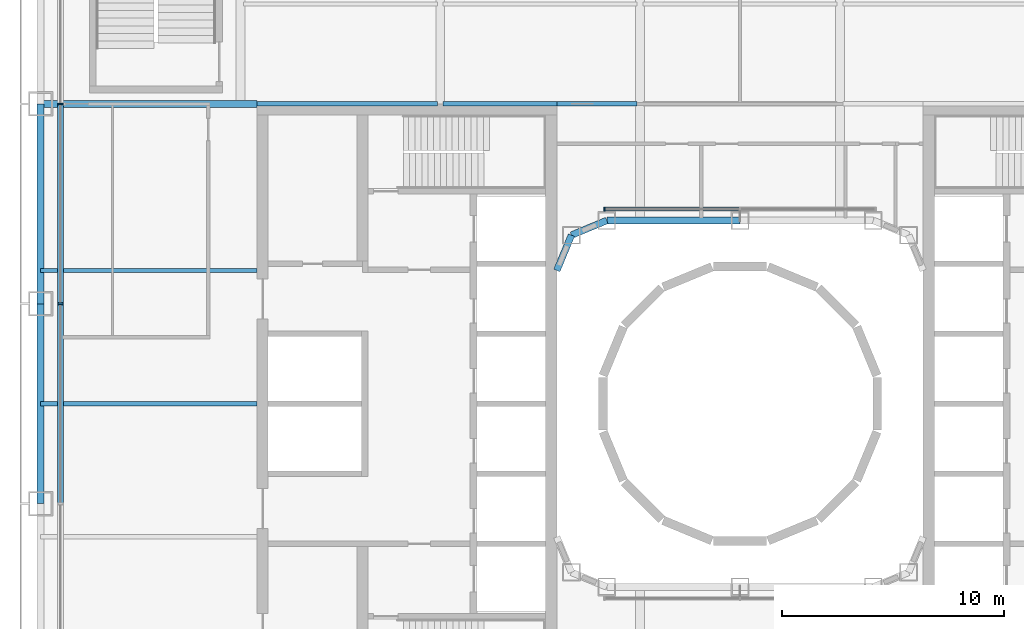
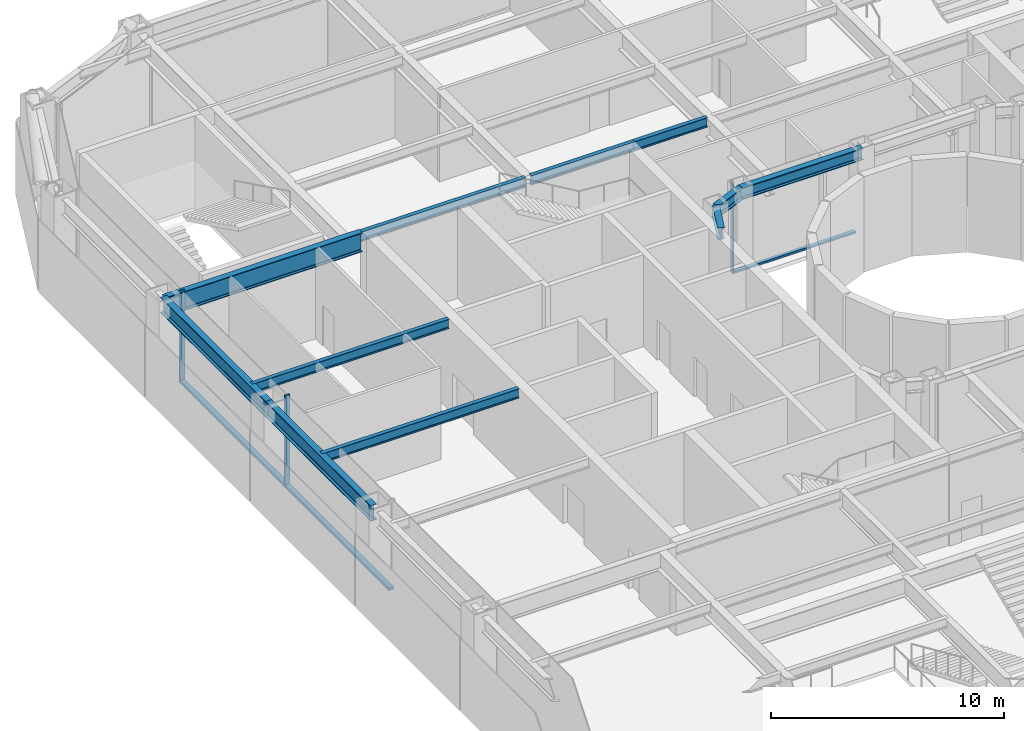
# One storey, part 6 of 25: 11 beams, 6 members, 2 elements without a shape of their own.
"""IFC4 building model written with IfcOpenShell, lengths in metres."""

from ifc_helpers import new_model, si_unit, direction, frame, origin, origin_2d, place, context, subcontext, project, spatial, rectangle, i_section, extrude, material, layer, layer_set, material_profile, profile_set, type_object, element, aggregate, save


model = new_model("IFC4")

# Units and contexts
model_context = context("Model", 3, precision=1e-05, world=origin(), true_north=direction((0.0, 1.0)))
body_context = subcontext(model_context, "Body", "Model", "MODEL_VIEW")
ifc_project = project(units=[si_unit("LENGTHUNIT", "METRE"), si_unit("AREAUNIT", "SQUARE_METRE"), si_unit("VOLUMEUNIT", "CUBIC_METRE"), si_unit("PLANEANGLEUNIT", "RADIAN"), si_unit("MASSUNIT", "GRAM", prefix="KILO")], contexts=[model_context])

# Site, building, storey
site_placement = place(None, origin())
site = spatial("IfcSite", under=ifc_project, at=site_placement, CompositionType="ELEMENT")
building_placement = place(site_placement, origin())
building = spatial("IfcBuilding", under=site, at=building_placement, Name="Siwar Civic Tower", CompositionType="ELEMENT")
storey_placement = place(building_placement, frame((0.0, 0.0, 7.199951171875)))
storey = spatial("IfcBuildingStorey", under=building, at=storey_placement, Name="L01", CompositionType="ELEMENT", Elevation=7.199951171875)

# Curtain wall, members
ifc_material_1 = material(Name="Aluminium and glass", Category="aluminium")
ifc_layer_1 = layer(ifc_material_1, 0.25)
ifc_layer_set_1 = layer_set([ifc_layer_1], Name="Aluminium and glass")
curtain_wall_type_1 = type_object("IfcCurtainWallType", Name="ENV-CW-H", PredefinedType="NOTDEFINED", material=ifc_layer_set_1)
curtain_wall_1_placement = place(storey_placement, origin())
curtain_wall_1 = element("IfcCurtainWall", 1, at=curtain_wall_1_placement, inside=storey, type_object=curtain_wall_type_1, Name="Curtain wall H W", PredefinedType="NOTDEFINED")
ifc_material_2 = material(Name="Aluminium 6063-T6", Category="aluminium")
ifc_material_profile_1 = material_profile(ifc_material_2, rectangle(XDim=0.25, YDim=0.080078125, at=origin_2d()), Name="AL 250x80")
ifc_profile_set_1 = profile_set([ifc_material_profile_1], Name="Aluminium 6063-T6")
member_type_1 = type_object("IfcMemberType", Name="ENV-MULLION-H", PredefinedType="MULLION", material=ifc_profile_set_1)
member_1_placement = place(storey_placement, frame((-30.60009765625, 13.5, 0.0), z_axis=(0.0, 0.0, 1.0), x_axis=(1.0, 0.0, 0.0)))
member_1 = element("IfcMember", 2, at=member_1_placement, type_object=member_type_1, Name="Mullion H W 2", PredefinedType="MULLION", context=body_context, shape_type="SweptSolid", body=[
    extrude(rectangle(XDim=0.25, YDim=0.080078125, at=origin_2d()), origin(), (0.0, 0.0, 1.0), 4.800048828125),
])
member_2_placement = place(storey_placement, frame((-30.60009765625, 4.5, 0.0), z_axis=(0.0, 0.0, 1.0), x_axis=(1.0, 0.0, 0.0)))
member_2 = element("IfcMember", 3, at=member_2_placement, type_object=member_type_1, Name="Mullion H W 3", PredefinedType="MULLION", context=body_context, shape_type="SweptSolid", body=[
    extrude(rectangle(XDim=0.25, YDim=0.080078125, at=origin_2d()), origin(), (0.0, 0.0, 1.0), 4.800048828125),
])

# Curtain wall, member
ifc_material_3 = material(Name="Aluminium and glass", Category="aluminium")
ifc_layer_2 = layer(ifc_material_3, 0.179931640625)
ifc_layer_set_2 = layer_set([ifc_layer_2], Name="Aluminium and glass")
curtain_wall_type_2 = type_object("IfcCurtainWallType", Name="ENV-CW-W", PredefinedType="NOTDEFINED", material=ifc_layer_set_2)
curtain_wall_2_placement = place(storey_placement, origin())
curtain_wall_2 = element("IfcCurtainWall", 4, at=curtain_wall_2_placement, inside=storey, type_object=curtain_wall_type_2, Name="Curtain wall W WN", PredefinedType="NOTDEFINED")
ifc_material_4 = material(Name="Aluminium 6063-T6", Category="aluminium")
ifc_material_profile_2 = material_profile(ifc_material_4, rectangle(XDim=0.179931640625, YDim=0.06005859375, at=origin_2d()), Name="AL 180x60")
ifc_profile_set_2 = profile_set([ifc_material_profile_2], Name="Aluminium 6063-T6")
member_type_2 = type_object("IfcMemberType", Name="ENV-MULLION-W", PredefinedType="MULLION", material=ifc_profile_set_2)
member_3_placement = place(storey_placement, frame((-6.1015625, 8.760009765625, 0.0), z_axis=(0.0, 0.0, 1.0), x_axis=(0.0, -1.0, 0.0)))
member_3 = element("IfcMember", 5, at=member_3_placement, type_object=member_type_2, Name="Mullion W WN 3", PredefinedType="MULLION", context=body_context, shape_type="SweptSolid", body=[
    extrude(rectangle(XDim=0.179931640625, YDim=0.06005859375, at=origin_2d()), origin(), (0.0, 0.0, 1.0), 4.800048828125),
])

# Member
ifc_material_5 = material(Name="Aluminium 6063-T6", Category="aluminium")
ifc_material_profile_3 = material_profile(ifc_material_5, rectangle(XDim=0.25, YDim=0.139892578125, at=origin_2d()), Name="AL 250x140")
ifc_profile_set_3 = profile_set([ifc_material_profile_3], Name="Aluminium 6063-T6")
member_type_3 = type_object("IfcMemberType", Name="ENV-TRANSOM-H", PredefinedType="USERDEFINED", material=ifc_profile_set_3)
member_4_placement = place(storey_placement, frame((-30.60009765625, 13.4599609375, 0.070068359375), z_axis=(0.0, -1.0, 0.0), x_axis=(1.0, 0.0, 0.0)))
member_4 = element("IfcMember", 6, at=member_4_placement, type_object=member_type_3, Name="Transom H W 2", ObjectType="TRANSOM", PredefinedType="USERDEFINED", context=body_context, shape_type="SweptSolid", body=[
    extrude(rectangle(XDim=0.25, YDim=0.139892578125, at=origin_2d()), origin(), (0.0, 0.0, 1.0), 8.919921875),
])

member_5_placement = place(storey_placement, frame((-30.60009765625, 4.4599609375, 0.070068359375), z_axis=(0.0, -1.0, 0.0), x_axis=(1.0, 0.0, 0.0)))
member_5 = element("IfcMember", 7, at=member_5_placement, type_object=member_type_3, Name="Transom H W 3", ObjectType="TRANSOM", PredefinedType="USERDEFINED", context=body_context, shape_type="SweptSolid", body=[
    extrude(rectangle(XDim=0.25, YDim=0.139892578125, at=origin_2d()), origin(), (0.0, 0.0, 1.0), 8.919921875),
])

aggregate(curtain_wall_1, [member_1, member_2, member_4, member_5])

ifc_material_6 = material(Name="Aluminium 6063-T6", Category="aluminium")
ifc_material_profile_4 = material_profile(ifc_material_6, rectangle(XDim=0.179931640625, YDim=0.10009765625, at=origin_2d()), Name="AL 180x100")
ifc_profile_set_4 = profile_set([ifc_material_profile_4], Name="Aluminium 6063-T6")
member_type_4 = type_object("IfcMemberType", Name="ENV-TRANSOM-W", PredefinedType="USERDEFINED", material=ifc_profile_set_4)
member_6_placement = place(storey_placement, frame((-0.030029296875, 8.760009765625, 0.050048828125), z_axis=(-1.0, 0.0, 0.0), x_axis=(0.0, -1.0, 0.0)))
member_6 = element("IfcMember", 8, at=member_6_placement, type_object=member_type_4, Name="Transom W WN 2", ObjectType="TRANSOM", PredefinedType="USERDEFINED", context=body_context, shape_type="SweptSolid", body=[
    extrude(rectangle(XDim=0.179931640625, YDim=0.10009765625, at=origin_2d()), origin(), (0.0, 0.0, 1.0), 6.04150390625),
])

aggregate(curtain_wall_2, [member_3, member_6])

# Beams
ifc_material_7 = material(Name="Steel S355", Category="steel")
ifc_material_profile_5 = material_profile(ifc_material_7, i_section(OverallWidth=0.199951171875, OverallDepth=0.5, WebThickness=0.01025390625, FlangeThickness=0.01611328125, FilletRadius=0.02099609375, at=origin_2d()), Name="IPE500")
ifc_profile_set_5 = profile_set([ifc_material_profile_5], Name="Steel S355")
beam_type_1 = type_object("IfcBeamType", Name="STR-FB-IPE500", PredefinedType="JOIST", material=ifc_profile_set_5)
for number, where, z_axis, x_axis, name in (
    (9, (-31.5, 0.0, 4.550048828125), (1.0, 0.0, 0.0), (0.0, 1.0, 0.0), "L01/bm/F031"),
    (10, (-31.5, 6.0, 4.550048828125), (1.0, 0.0, 0.0), (0.0, 1.0, 0.0), "L01/bm/F033"),
):
    element("IfcBeam", number, at=place(storey_placement, frame(where, z_axis=z_axis, x_axis=x_axis)), inside=storey, type_object=beam_type_1, Name=name, PredefinedType="JOIST", context=body_context, shape_type="SweptSolid", body=[
        extrude(i_section(OverallWidth=0.199951171875, OverallDepth=0.5, WebThickness=0.01025390625, FlangeThickness=0.01611328125, FilletRadius=0.02099609375, at=origin_2d()), origin(), (0.0, 0.0, 1.0), 9.75),
    ])
beam_1_placement = place(storey_placement, frame((-21.75, 13.5, 4.550048828125), z_axis=(1.0, 0.0, 0.0), x_axis=(0.0, 1.0, 0.0)))
element("IfcBeam", 11, at=beam_1_placement, inside=storey, type_object=beam_type_1, Name="L01/bm/F036", PredefinedType="JOIST", context=body_context, shape_type="SweptSolid", body=[
    extrude(i_section(OverallWidth=0.199951171875, OverallDepth=0.5, WebThickness=0.01025390625, FlangeThickness=0.01611328125, FilletRadius=0.02099609375, at=origin_2d()), origin(), (0.0, 0.0, 1.0), 8.1201171875),
])
beam_2_placement = place(storey_placement, frame((-13.3701171875, 13.5, 4.550048828125), z_axis=(1.0, 0.0, 0.0), x_axis=(0.0, 1.0, 0.0)))
element("IfcBeam", 12, at=beam_2_placement, inside=storey, type_object=beam_type_1, Name="L01/bm/F037", PredefinedType="JOIST", context=body_context, shape_type="SweptSolid", body=[
    extrude(i_section(OverallWidth=0.199951171875, OverallDepth=0.5, WebThickness=0.01025390625, FlangeThickness=0.01611328125, FilletRadius=0.02099609375, at=origin_2d()), origin(), (0.0, 0.0, 1.0), 5.1201171875),
])
beam_3_placement = place(storey_placement, frame((-8.25, 13.5, 4.550048828125), z_axis=(1.0, 0.0, 0.0), x_axis=(0.0, 1.0, 0.0)))
element("IfcBeam", 13, at=beam_3_placement, inside=storey, type_object=beam_type_1, Name="L01/bm/F038", PredefinedType="JOIST", context=body_context, shape_type="SweptSolid", body=[
    extrude(i_section(OverallWidth=0.199951171875, OverallDepth=0.5, WebThickness=0.01025390625, FlangeThickness=0.01611328125, FilletRadius=0.02099609375, at=origin_2d()), origin(), (0.0, 0.0, 1.0), 3.6201171875),
])
ifc_material_8 = material(Name="Steel S355", Category="steel")
ifc_material_profile_6 = material_profile(ifc_material_8, i_section(OverallWidth=0.300048828125, OverallDepth=1.0, WebThickness=0.01904296875, FlangeThickness=0.035888671875, FilletRadius=0.030029296875, at=origin_2d()), Name="HEB1000")
ifc_profile_set_6 = profile_set([ifc_material_profile_6], Name="Steel S355")
beam_type_2 = type_object("IfcBeamType", Name="STR-PG-HEB1000", PredefinedType="BEAM", material=ifc_profile_set_6)
beam_4_placement = place(storey_placement, frame((-31.5, 13.5, 4.300048828125), z_axis=(1.0, 0.0, 0.0), x_axis=(0.0, 1.0, 0.0)))
element("IfcBeam", 14, at=beam_4_placement, inside=storey, type_object=beam_type_2, Name="L01/bm/F035", PredefinedType="BEAM", context=body_context, shape_type="SweptSolid", body=[
    extrude(i_section(OverallWidth=0.300048828125, OverallDepth=1.0, WebThickness=0.01904296875, FlangeThickness=0.035888671875, FilletRadius=0.030029296875, at=origin_2d()), origin(), (0.0, 0.0, 1.0), 9.75),
])
ifc_material_9 = material(Name="Steel S355", Category="steel")
ifc_material_profile_7 = material_profile(ifc_material_9, i_section(OverallWidth=0.304931640625, OverallDepth=0.6201171875, WebThickness=0.02099609375, FlangeThickness=0.0400390625, FilletRadius=0.027099609375, at=origin_2d()), Name="HEM600")
ifc_profile_set_7 = profile_set([ifc_material_profile_7], Name="Steel S355")
beam_type_3 = type_object("IfcBeamType", Name="STR-RB-HEM600", PredefinedType="BEAM", material=ifc_profile_set_7)
beam_5_placement = place(storey_placement, frame((-7.591064453125, 7.591064453125, 4.489990234375), z_axis=(0.923901072997, 0.382631424892, 0.0), x_axis=(-0.382631424892, 0.923901072997, 0.0)))
element("IfcBeam", 15, at=beam_5_placement, inside=storey, type_object=beam_type_3, Name="L01/bm/RN0", PredefinedType="BEAM", context=body_context, shape_type="SweptSolid", body=[
    extrude(i_section(OverallWidth=0.304931640625, OverallDepth=0.6201171875, WebThickness=0.02099609375, FlangeThickness=0.0400390625, FilletRadius=0.027099609375, at=origin_2d()), origin(), (0.0, 0.0, 1.0), 1.72216796875),
])
beam_6_placement = place(storey_placement, frame((-6.0, 8.25, 4.489990234375), z_axis=(1.0, 0.0, 0.0), x_axis=(0.0, 1.0, 0.0)))
element("IfcBeam", 16, at=beam_6_placement, inside=storey, type_object=beam_type_3, Name="L01/bm/RN1", PredefinedType="BEAM", context=body_context, shape_type="SweptSolid", body=[
    extrude(i_section(OverallWidth=0.304931640625, OverallDepth=0.6201171875, WebThickness=0.02099609375, FlangeThickness=0.0400390625, FilletRadius=0.027099609375, at=origin_2d()), origin(), (0.0, 0.0, 1.0), 6.0),
])
beam_7_placement = place(storey_placement, frame((-7.591064453125, 7.591064453125, 4.489990234375), z_axis=(-0.382631424892, -0.923901072997, 0.0), x_axis=(0.923901072997, -0.382631424892, 0.0)))
element("IfcBeam", 17, at=beam_7_placement, inside=storey, type_object=beam_type_3, Name="L01/bm/RNEW", PredefinedType="BEAM", context=body_context, shape_type="SweptSolid", body=[
    extrude(i_section(OverallWidth=0.304931640625, OverallDepth=0.6201171875, WebThickness=0.02099609375, FlangeThickness=0.0400390625, FilletRadius=0.027099609375, at=origin_2d()), origin(), (0.0, 0.0, 1.0), 1.72216796875),
])
ifc_material_10 = material(Name="Steel S355", Category="steel")
ifc_material_profile_8 = material_profile(ifc_material_10, i_section(OverallWidth=0.302978515625, OverallDepth=0.81396484375, WebThickness=0.02099609375, FlangeThickness=0.0400390625, FilletRadius=0.030029296875, at=origin_2d()), Name="HEM800")
ifc_profile_set_8 = profile_set([ifc_material_profile_8], Name="Steel S355")
beam_type_4 = type_object("IfcBeamType", Name="STR-SB-HEM800", PredefinedType="BEAM", material=ifc_profile_set_8)
for number, where, z_axis, x_axis, name in (
    (18, (-31.5, 13.5, 4.39306640625), (0.0, -1.0, 0.0), (1.0, 0.0, 0.0), "L01/bm/SW-1"),
    (19, (-31.5, 4.5, 4.39306640625), (0.0, -1.0, 0.0), (1.0, 0.0, 0.0), "L01/bm/SW-2"),
):
    element("IfcBeam", number, at=place(storey_placement, frame(where, z_axis=z_axis, x_axis=x_axis)), inside=storey, type_object=beam_type_4, Name=name, PredefinedType="BEAM", context=body_context, shape_type="SweptSolid", body=[
        extrude(i_section(OverallWidth=0.302978515625, OverallDepth=0.81396484375, WebThickness=0.02099609375, FlangeThickness=0.0400390625, FilletRadius=0.030029296875, at=origin_2d()), origin(), (0.0, 0.0, 1.0), 9.0),
    ])

save(model, "model.ifc")
